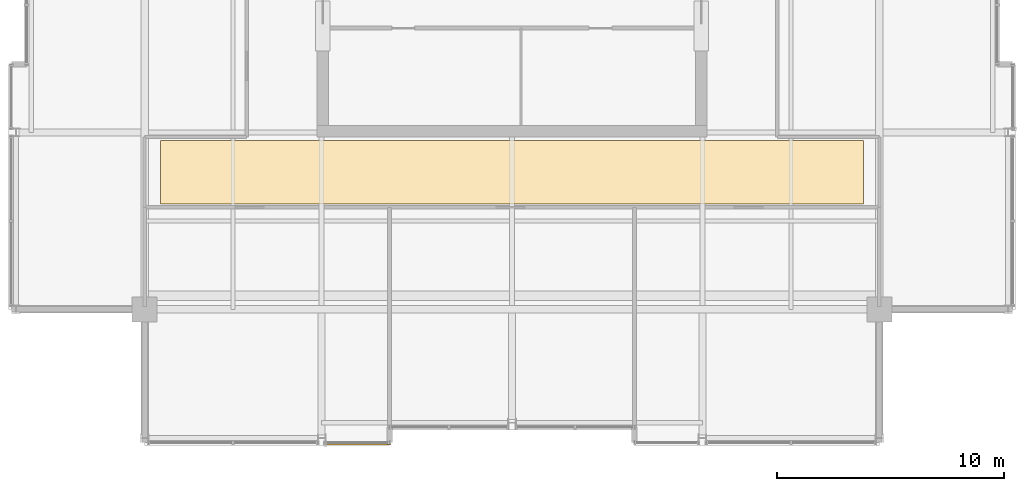
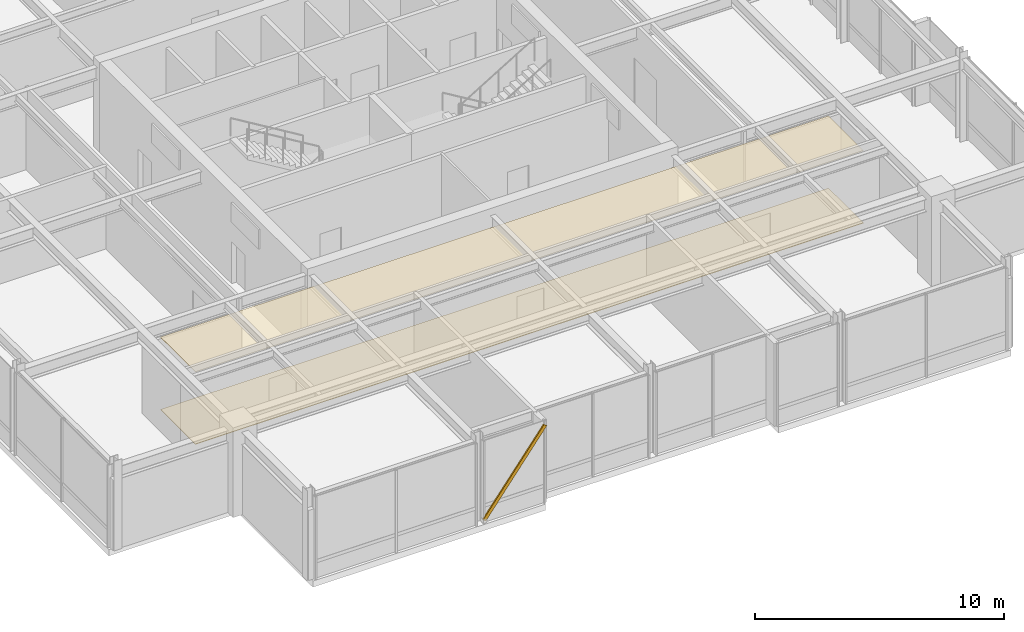
# One storey, part 31 of 33: 2 coverings, 1 shading device.
"""IFC4 building model written with IfcOpenShell, lengths in metres."""

from ifc_helpers import new_model, si_unit, direction, frame, origin, origin_2d, place, context, subcontext, project, spatial, polyline, hollow_rectangle, outline, extrude, material, layer, layer_set, material_profile, profile_set, type_object, element, save


model = new_model("IFC4")

# Units and contexts
model_context = context("Model", 3, precision=1e-05, world=origin(), true_north=direction((0.0, 1.0)))
body_context = subcontext(model_context, "Body", "Model", "MODEL_VIEW")
ifc_project = project(units=[si_unit("LENGTHUNIT", "METRE"), si_unit("AREAUNIT", "SQUARE_METRE"), si_unit("VOLUMEUNIT", "CUBIC_METRE"), si_unit("PLANEANGLEUNIT", "RADIAN"), si_unit("MASSUNIT", "GRAM", prefix="KILO")], contexts=[model_context])

# Site, building, storey
site_placement = place(None, origin())
site = spatial("IfcSite", under=ifc_project, at=site_placement, CompositionType="ELEMENT")
building_placement = place(site_placement, origin())
building = spatial("IfcBuilding", under=site, at=building_placement, Name="Drelvath Grand Hotel", CompositionType="ELEMENT")
storey_placement = place(building_placement, frame((0.0, 0.0, 298.60009765625)))
storey = spatial("IfcBuildingStorey", under=building, at=storey_placement, Name="L78", CompositionType="ELEMENT", Elevation=298.60009765625)

# Covering
ifc_material_1 = material(Name="Acoustic Gypsum Board")
ifc_layer_1 = layer(ifc_material_1, 0.02490234375)
ifc_layer_set_1 = layer_set([ifc_layer_1], Name="Acoustic Gypsum Board")
covering_type_1 = type_object("IfcCoveringType", Name="Acoustic Gypsum Hospitality Ceiling 25", PredefinedType="CEILING", material=ifc_layer_set_1)
covering_1_placement = place(storey_placement, frame((0.0, 0.0, 3.5498046875)))
element("IfcCovering", 1, at=covering_1_placement, inside=storey, type_object=covering_type_1, Name="L78 Sky Foyer Ceiling", PredefinedType="CEILING", context=body_context, shape_type="SweptSolid", body=[
    extrude(outline(polyline([(15.5, 15.449951171875), (15.5, 18.25), (-15.5, 18.25), (-15.5, 15.449951171875), (15.5, 15.449951171875)])), origin(), (0.0, 0.0, 1.0), 0.025146484375),
])

# Shading device
ifc_material_2 = material(Name="Platinum-Mist Anodised Aluminium", Category="aluminium")
ifc_material_profile = material_profile(ifc_material_2, hollow_rectangle(XDim=0.06494140625, YDim=0.159912109375, WallThickness=0.00390625, at=origin_2d()), Name="HSS160X65X4")
ifc_profile_set = profile_set([ifc_material_profile], Name="Platinum-Mist Anodised Aluminium")
shading_device_type = type_object("IfcShadingDeviceType", Name="Diagonal Solar Fin Platinum Anodised HSS160X65X4", PredefinedType="USERDEFINED", material=ifc_profile_set)
shading_device_placement = place(storey_placement, frame((-8.22998046875, 4.840087890625, 0.179931640625), z_axis=(0.608583632761, 0.0, 0.793489736503), x_axis=(0.0, 1.0, 0.0)))
element("IfcShadingDevice", 2, at=shading_device_placement, inside=storey, type_object=shading_device_type, Name="L78 Diagonal Anodised Fin CW05-L78-SW2", ObjectType="FIN", PredefinedType="USERDEFINED", context=body_context, shape_type="SweptSolid", body=[
    extrude(hollow_rectangle(XDim=0.06494140625, YDim=0.159912109375, WallThickness=0.00390625, at=origin_2d()), origin(), (0.0, 0.0, 1.0), 4.650390625),
])

# Covering
ifc_material_3 = material(Name="Honed Indiana Limestone", Category="masonry")
ifc_layer_2 = layer(ifc_material_3, 0.030029296875)
ifc_layer_set_2 = layer_set([ifc_layer_2], Name="Honed Indiana Limestone")
covering_type_2 = type_object("IfcCoveringType", Name="Honed Limestone Lobby Flooring 30", PredefinedType="FLOORING", material=ifc_layer_set_2)
covering_2_placement = place(storey_placement, origin())
element("IfcCovering", 3, at=covering_2_placement, inside=storey, type_object=covering_type_2, Name="L78 Sky Foyer Stone Floor", PredefinedType="FLOORING", context=body_context, shape_type="SweptSolid", body=[
    extrude(outline(polyline([(15.5, 15.449951171875), (15.5, 18.25), (-15.5, 18.25), (-15.5, 15.449951171875), (15.5, 15.449951171875)])), origin(), (0.0, 0.0, 1.0), 0.02978515625),
])

save(model, "model.ifc")
